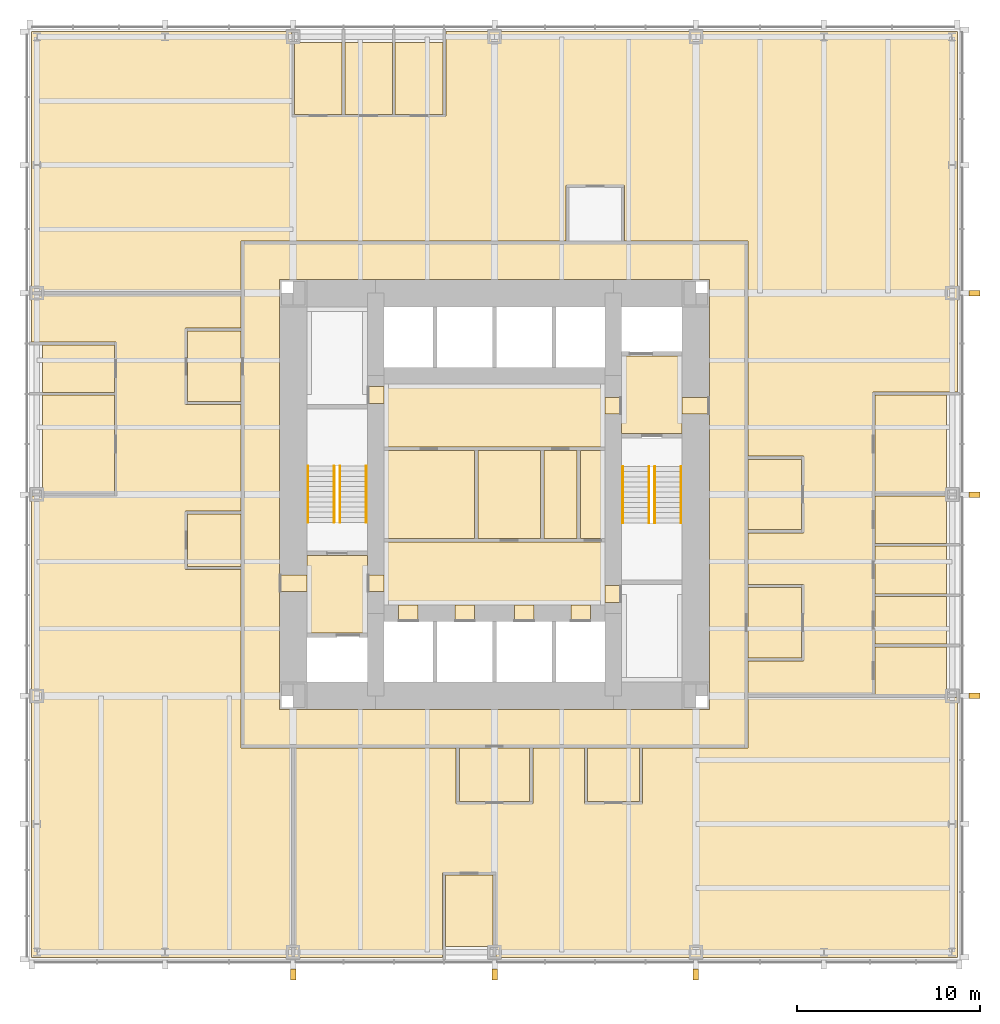
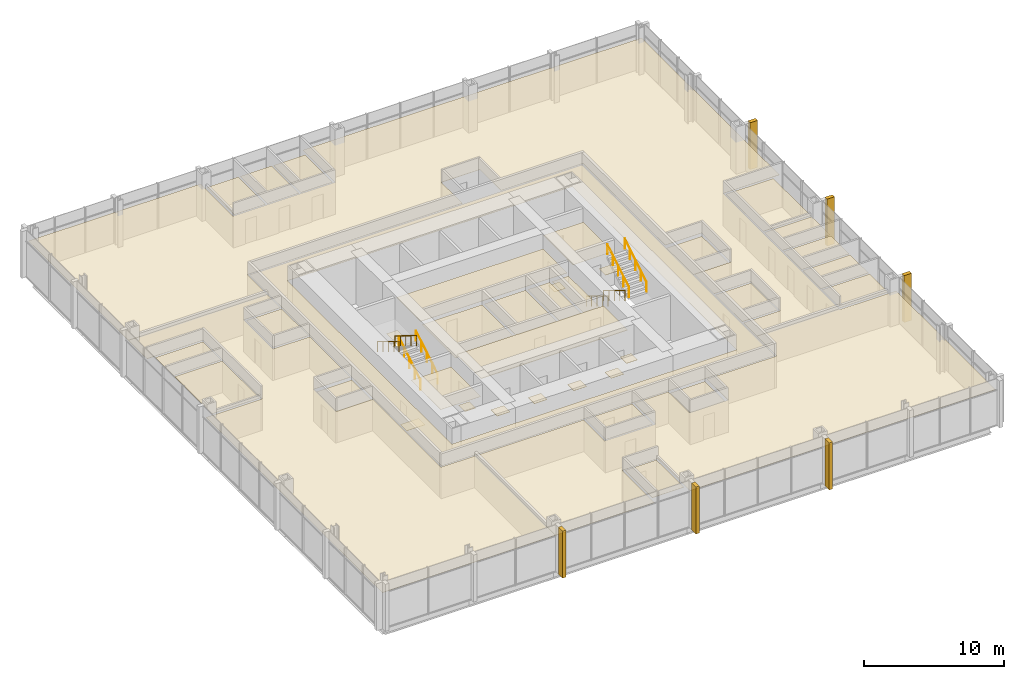
# One storey, part 12 of 12: 45 coverings, 8 railings.
"""IFC4 building model written with IfcOpenShell, lengths in metres."""

from ifc_helpers import new_model, si_unit, direction, frame, origin, origin_2d, place, context, subcontext, project, spatial, polyline, rectangle, circle, outline, extrude, material, layer, layer_set, type_object, element, save


model = new_model("IFC4")

# Units and contexts
model_context = context("Model", 3, precision=1e-05, world=origin(), true_north=direction((0.0, 1.0)))
body_context = subcontext(model_context, "Body", "Model", "MODEL_VIEW")
ifc_project = project(units=[si_unit("LENGTHUNIT", "METRE"), si_unit("AREAUNIT", "SQUARE_METRE"), si_unit("VOLUMEUNIT", "CUBIC_METRE"), si_unit("PLANEANGLEUNIT", "RADIAN"), si_unit("MASSUNIT", "GRAM", prefix="KILO")], contexts=[model_context])

# Site, building, storey
site_placement = place(None, origin())
site = spatial("IfcSite", under=ifc_project, at=site_placement, CompositionType="ELEMENT")
building_placement = place(site_placement, origin())
building = spatial("IfcBuilding", under=site, at=building_placement, Name="Trevanion Tower", CompositionType="ELEMENT")
storey_placement = place(building_placement, frame((0.0, 0.0, 36.5)))
storey = spatial("IfcBuildingStorey", under=building, at=storey_placement, Name="L08", CompositionType="ELEMENT", Elevation=36.5)

# Coverings
ifc_material_1 = material(Name="Fibrous plaster coffers on suspended steel grid", Category="steel")
ifc_layer_1 = layer(ifc_material_1, 0.050048828125)
ifc_layer_set_1 = layer_set([ifc_layer_1], Name="CL1 coffered fibrous plaster ceiling 50")
covering_type_1 = type_object("IfcCoveringType", Name="CL1 coffered fibrous plaster ceiling 50", PredefinedType="CEILING", material=ifc_layer_set_1)
covering_1_placement = place(storey_placement, frame((0.0, 0.0, 3.0)))
element("IfcCovering", 1, at=covering_1_placement, inside=storey, type_object=covering_type_1, Name="CL1 L08-LBS", PredefinedType="CEILING", context=body_context, shape_type="SweptSolid", body=[
    extrude(outline(polyline([(6.050048828125, -6.050048828125), (6.050048828125, -2.60009765625), (-6.050048828125, -2.60009765625), (-6.050048828125, -6.050048828125), (6.050048828125, -6.050048828125)])), origin(), (0.0, 0.0, 1.0), 0.050048828125),
])
ifc_material_2 = material(Name="Mineral fibre acoustic tiles in exposed grid", Category="mineral fibre")
ifc_layer_2 = layer(ifc_material_2, 0.02001953125)
ifc_layer_set_2 = layer_set([ifc_layer_2], Name="CL2 acoustic tile ceiling 20")
covering_type_2 = type_object("IfcCoveringType", Name="CL2 acoustic tile ceiling 20", PredefinedType="CEILING", material=ifc_layer_set_2)
covering_2_placement = place(storey_placement, frame((0.0, 0.0, 2.75)))
element("IfcCovering", 2, at=covering_2_placement, inside=storey, type_object=covering_type_2, Name="CL2 L08-LBN", PredefinedType="CEILING", context=body_context, shape_type="SweptSolid", body=[
    extrude(outline(polyline([(6.050048828125, 2.60009765625), (6.050048828125, 6.050048828125), (-6.050048828125, 6.050048828125), (-6.050048828125, 2.60009765625), (6.050048828125, 2.60009765625)])), origin(), (0.0, 0.0, 1.0), 0.02001953125),
])
covering_3_placement = place(storey_placement, frame((0.0, 0.0, 2.75)))
element("IfcCovering", 3, at=covering_3_placement, inside=storey, type_object=covering_type_2, Name="CL2 L08-CO", PredefinedType="CEILING", context=body_context, shape_type="SweptSolid", body=[
    extrude(outline(polyline([(-13.75, 13.75), (13.75, 13.75), (13.75, -13.75), (-13.75, -13.75), (-13.75, 13.75)]), holes=[polyline([(-11.75, 11.75), (-11.75, -11.75), (11.75, -11.75), (11.75, 11.75), (-11.75, 11.75)])]), origin(), (0.0, 0.0, 1.0), 0.02001953125),
])
covering_4_placement = place(storey_placement, frame((0.0, 0.0, 2.75)))
element("IfcCovering", 4, at=covering_4_placement, inside=storey, type_object=covering_type_2, Name="CL2 L08-OF", PredefinedType="CEILING", context=body_context, shape_type="SweptSolid", body=[
    extrude(outline(polyline([(20.77490234375, -10.925048828125), (20.77490234375, -8.324951171875), (24.699951171875, -8.324951171875), (24.699951171875, -10.925048828125), (20.77490234375, -10.925048828125)])), origin(), (0.0, 0.0, 1.0), 0.02001953125),
])
covering_5_placement = place(storey_placement, frame((0.0, 0.0, 2.75)))
element("IfcCovering", 5, at=covering_5_placement, inside=storey, type_object=covering_type_2, Name="CL2 L08-OF2", PredefinedType="CEILING", context=body_context, shape_type="SweptSolid", body=[
    extrude(outline(polyline([(20.77490234375, -8.175048828125), (20.77490234375, -5.574951171875), (24.699951171875, -5.574951171875), (24.699951171875, -8.175048828125), (20.77490234375, -8.175048828125)])), origin(), (0.0, 0.0, 1.0), 0.02001953125),
])
covering_6_placement = place(storey_placement, frame((0.0, 0.0, 2.75)))
element("IfcCovering", 6, at=covering_6_placement, inside=storey, type_object=covering_type_2, Name="CL2 L08-OF3", PredefinedType="CEILING", context=body_context, shape_type="SweptSolid", body=[
    extrude(outline(polyline([(20.77490234375, -5.425048828125), (20.77490234375, -2.824951171875), (24.699951171875, -2.824951171875), (24.699951171875, -5.425048828125), (20.77490234375, -5.425048828125)])), origin(), (0.0, 0.0, 1.0), 0.02001953125),
])
covering_7_placement = place(storey_placement, frame((0.0, 0.0, 2.75)))
element("IfcCovering", 7, at=covering_7_placement, inside=storey, type_object=covering_type_2, Name="CL2 L08-OF4", PredefinedType="CEILING", context=body_context, shape_type="SweptSolid", body=[
    extrude(outline(polyline([(20.77490234375, -2.675048828125), (20.77490234375, -0.074951171875), (24.699951171875, -0.074951171875), (24.699951171875, -2.675048828125), (20.77490234375, -2.675048828125)])), origin(), (0.0, 0.0, 1.0), 0.02001953125),
])
covering_8_placement = place(storey_placement, frame((0.0, 0.0, 2.75)))
element("IfcCovering", 8, at=covering_8_placement, inside=storey, type_object=covering_type_2, Name="CL2 L08-MR", PredefinedType="CEILING", context=body_context, shape_type="SweptSolid", body=[
    extrude(outline(polyline([(20.77490234375, 0.074951171875), (20.77490234375, 5.425048828125), (24.699951171875, 5.425048828125), (24.699951171875, 0.074951171875), (20.77490234375, 0.074951171875)])), origin(), (0.0, 0.0, 1.0), 0.02001953125),
])
covering_9_placement = place(storey_placement, frame((0.0, 0.0, 2.75)))
element("IfcCovering", 9, at=covering_9_placement, inside=storey, type_object=covering_type_2, Name="CL2 L08-OF5", PredefinedType="CEILING", context=body_context, shape_type="SweptSolid", body=[
    extrude(outline(polyline([(-2.824951171875, 20.77490234375), (-5.425048828125, 20.77490234375), (-5.425048828125, 24.699951171875), (-2.824951171875, 24.699951171875), (-2.824951171875, 20.77490234375)])), origin(), (0.0, 0.0, 1.0), 0.02001953125),
])
covering_10_placement = place(storey_placement, frame((0.0, 0.0, 2.75)))
element("IfcCovering", 10, at=covering_10_placement, inside=storey, type_object=covering_type_2, Name="CL2 L08-OF6", PredefinedType="CEILING", context=body_context, shape_type="SweptSolid", body=[
    extrude(outline(polyline([(-5.574951171875, 20.77490234375), (-8.175048828125, 20.77490234375), (-8.175048828125, 24.699951171875), (-5.574951171875, 24.699951171875), (-5.574951171875, 20.77490234375)])), origin(), (0.0, 0.0, 1.0), 0.02001953125),
])
covering_11_placement = place(storey_placement, frame((0.0, 0.0, 2.75)))
element("IfcCovering", 11, at=covering_11_placement, inside=storey, type_object=covering_type_2, Name="CL2 L08-OF7", PredefinedType="CEILING", context=body_context, shape_type="SweptSolid", body=[
    extrude(outline(polyline([(-8.324951171875, 20.77490234375), (-10.925048828125, 20.77490234375), (-10.925048828125, 24.699951171875), (-8.324951171875, 24.699951171875), (-8.324951171875, 20.77490234375)])), origin(), (0.0, 0.0, 1.0), 0.02001953125),
])
covering_12_placement = place(storey_placement, frame((0.0, 0.0, 2.75)))
element("IfcCovering", 12, at=covering_12_placement, inside=storey, type_object=covering_type_2, Name="CL2 L08-OF8", PredefinedType="CEILING", context=body_context, shape_type="SweptSolid", body=[
    extrude(outline(polyline([(-20.77490234375, 8.175048828125), (-20.77490234375, 5.574951171875), (-24.699951171875, 5.574951171875), (-24.699951171875, 8.175048828125), (-20.77490234375, 8.175048828125)])), origin(), (0.0, 0.0, 1.0), 0.02001953125),
])
covering_13_placement = place(storey_placement, frame((0.0, 0.0, 2.75)))
element("IfcCovering", 13, at=covering_13_placement, inside=storey, type_object=covering_type_2, Name="CL2 L08-MR2", PredefinedType="CEILING", context=body_context, shape_type="SweptSolid", body=[
    extrude(outline(polyline([(-20.77490234375, 5.425048828125), (-20.77490234375, 0.074951171875), (-24.699951171875, 0.074951171875), (-24.699951171875, 5.425048828125), (-20.77490234375, 5.425048828125)])), origin(), (0.0, 0.0, 1.0), 0.02001953125),
])
covering_14_placement = place(storey_placement, frame((0.0, 0.0, 2.75)))
element("IfcCovering", 14, at=covering_14_placement, inside=storey, type_object=covering_type_2, Name="CL2 L08-FR", PredefinedType="CEILING", context=body_context, shape_type="SweptSolid", body=[
    extrude(outline(polyline([(-2.675048828125, -20.77490234375), (-0.074951171875, -20.77490234375), (-0.074951171875, -24.699951171875), (-2.675048828125, -24.699951171875), (-2.675048828125, -20.77490234375)])), origin(), (0.0, 0.0, 1.0), 0.02001953125),
])
covering_15_placement = place(storey_placement, frame((0.0, 0.0, 2.75)))
element("IfcCovering", 15, at=covering_15_placement, inside=storey, type_object=covering_type_2, Name="CL2 L08-RC", PredefinedType="CEILING", context=body_context, shape_type="SweptSolid", body=[
    extrude(outline(polyline([(13.85009765625, -8.925048828125), (13.85009765625, -5.074951171875), (16.77490234375, -5.074951171875), (16.77490234375, -8.925048828125), (13.85009765625, -8.925048828125)])), origin(), (0.0, 0.0, 1.0), 0.02001953125),
])
covering_16_placement = place(storey_placement, frame((0.0, 0.0, 2.75)))
element("IfcCovering", 16, at=covering_16_placement, inside=storey, type_object=covering_type_2, Name="CL2 L08-RC2", PredefinedType="CEILING", context=body_context, shape_type="SweptSolid", body=[
    extrude(outline(polyline([(-13.85009765625, 8.925048828125), (-13.85009765625, 5.074951171875), (-16.77490234375, 5.074951171875), (-16.77490234375, 8.925048828125), (-13.85009765625, 8.925048828125)])), origin(), (0.0, 0.0, 1.0), 0.02001953125),
])
covering_17_placement = place(storey_placement, frame((0.0, 0.0, 2.75)))
element("IfcCovering", 17, at=covering_17_placement, inside=storey, type_object=covering_type_2, Name="CL2 L08-RC3", PredefinedType="CEILING", context=body_context, shape_type="SweptSolid", body=[
    extrude(outline(polyline([(-1.925048828125, -13.85009765625), (1.925048828125, -13.85009765625), (1.925048828125, -16.77490234375), (-1.925048828125, -16.77490234375), (-1.925048828125, -13.85009765625)])), origin(), (0.0, 0.0, 1.0), 0.02001953125),
])
covering_18_placement = place(storey_placement, frame((0.0, 0.0, 2.75)))
element("IfcCovering", 18, at=covering_18_placement, inside=storey, type_object=covering_type_2, Name="CL2 L08-OP", PredefinedType="CEILING", context=body_context, shape_type="SweptSolid", body=[
    extrude(outline(polyline([(13.85009765625, 13.85009765625), (7.094970703125, 13.85009765625), (7.094970703125, 16.8701171875), (3.905029296875, 16.8701171875), (3.905029296875, 13.85009765625), (-13.85009765625, 13.85009765625), (-13.85009765625, 11.0), (-25.300048828125, 11.0), (-25.300048828125, 25.300048828125), (-11.094970703125, 25.300048828125), (-11.094970703125, 20.679931640625), (-2.655029296875, 20.679931640625), (-2.655029296875, 25.300048828125), (25.300048828125, 25.300048828125), (25.300048828125, 5.594970703125), (20.679931640625, 5.594970703125), (20.679931640625, -11.0), (13.85009765625, -11.0), (13.85009765625, -9.094970703125), (16.8701171875, -9.094970703125), (16.8701171875, -4.905029296875), (13.85009765625, -4.905029296875), (13.85009765625, -2.094970703125), (16.8701171875, -2.094970703125), (16.8701171875, 2.094970703125), (13.85009765625, 2.094970703125), (13.85009765625, 13.85009765625)])), origin(), (0.0, 0.0, 1.0), 0.02001953125),
])
covering_19_placement = place(storey_placement, frame((0.0, 0.0, 2.75)))
element("IfcCovering", 19, at=covering_19_placement, inside=storey, type_object=covering_type_2, Name="CL2 L08-OP2", PredefinedType="CEILING", context=body_context, shape_type="SweptSolid", body=[
    extrude(outline(polyline([(-13.85009765625, 9.094970703125), (-16.8701171875, 9.094970703125), (-16.8701171875, 4.905029296875), (-13.85009765625, 4.905029296875), (-13.85009765625, -0.905029296875), (-16.8701171875, -0.905029296875), (-16.8701171875, -4.094970703125), (-13.85009765625, -4.094970703125), (-13.85009765625, -13.85009765625), (-11.0, -13.85009765625), (-11.0, -25.300048828125), (-25.300048828125, -25.300048828125), (-25.300048828125, -0.094970703125), (-20.679931640625, -0.094970703125), (-20.679931640625, 8.344970703125), (-25.300048828125, 8.344970703125), (-25.300048828125, 11.0), (-13.85009765625, 11.0), (-13.85009765625, 9.094970703125)])), origin(), (0.0, 0.0, 1.0), 0.02001953125),
])
covering_20_placement = place(storey_placement, frame((0.0, 0.0, 2.75)))
element("IfcCovering", 20, at=covering_20_placement, inside=storey, type_object=covering_type_2, Name="CL2 L08-OP3", PredefinedType="CEILING", context=body_context, shape_type="SweptSolid", body=[
    extrude(outline(polyline([(-2.094970703125, -13.85009765625), (-2.094970703125, -16.8701171875), (2.094970703125, -16.8701171875), (2.094970703125, -13.85009765625), (4.905029296875, -13.85009765625), (4.905029296875, -16.8701171875), (8.094970703125, -16.8701171875), (8.094970703125, -13.85009765625), (13.85009765625, -13.85009765625), (13.85009765625, -11.0), (20.679931640625, -11.0), (20.679931640625, -11.094970703125), (25.300048828125, -11.094970703125), (25.300048828125, -25.300048828125), (0.094970703125, -25.300048828125), (0.094970703125, -20.679931640625), (-2.844970703125, -20.679931640625), (-2.844970703125, -25.300048828125), (-11.0, -25.300048828125), (-11.0, -13.85009765625), (-2.094970703125, -13.85009765625)])), origin(), (0.0, 0.0, 1.0), 0.02001953125),
])
ifc_material_3 = material(Name="Gypsum plasterboard on suspended metal furring", Category="gypsum")
ifc_layer_3 = layer(ifc_material_3, 0.012939453125)
ifc_layer_set_3 = layer_set([ifc_layer_3], Name="CL3 plasterboard ceiling 13")
covering_type_3 = type_object("IfcCoveringType", Name="CL3 plasterboard ceiling 13", PredefinedType="CEILING", material=ifc_layer_set_3)
covering_21_placement = place(storey_placement, frame((0.0, 0.0, 2.699951171875)))
element("IfcCovering", 21, at=covering_21_placement, inside=storey, type_object=covering_type_3, Name="CL3 L08-FV1", PredefinedType="CEILING", context=body_context, shape_type="SweptSolid", body=[
    extrude(outline(polyline([(10.25, 3.324951171875), (10.25, 7.574951171875), (6.949951171875, 7.574951171875), (6.949951171875, 3.324951171875), (10.25, 3.324951171875)])), origin(), (0.0, 0.0, 1.0), 0.012939453125),
])
covering_22_placement = place(storey_placement, frame((0.0, 0.0, 2.699951171875)))
element("IfcCovering", 22, at=covering_22_placement, inside=storey, type_object=covering_type_3, Name="CL3 L08-FV2", PredefinedType="CEILING", context=body_context, shape_type="SweptSolid", body=[
    extrude(outline(polyline([(-10.25, -3.324951171875), (-10.25, -7.574951171875), (-6.949951171875, -7.574951171875), (-6.949951171875, -3.324951171875), (-10.25, -3.324951171875)])), origin(), (0.0, 0.0, 1.0), 0.012939453125),
])
ifc_material_4 = material(Name="Moisture-resistant gypsum board on suspended metal furring", Category="gypsum")
ifc_layer_4 = layer(ifc_material_4, 0.01611328125)
ifc_layer_set_4 = layer_set([ifc_layer_4], Name="CL4 moisture-resistant board ceiling 16")
covering_type_4 = type_object("IfcCoveringType", Name="CL4 moisture-resistant board ceiling 16", PredefinedType="CEILING", material=ifc_layer_set_4)
covering_23_placement = place(storey_placement, frame((0.0, 0.0, 2.60009765625)))
element("IfcCovering", 23, at=covering_23_placement, inside=storey, type_object=covering_type_4, Name="CL4 L08-WCM", PredefinedType="CEILING", context=body_context, shape_type="SweptSolid", body=[
    extrude(outline(polyline([(-1.10009765625, -2.39990234375), (-1.10009765625, 2.39990234375), (-6.050048828125, 2.39990234375), (-6.050048828125, -2.39990234375), (-1.10009765625, -2.39990234375)])), origin(), (0.0, 0.0, 1.0), 0.015869140625),
])
covering_24_placement = place(storey_placement, frame((0.0, 0.0, 2.60009765625)))
element("IfcCovering", 24, at=covering_24_placement, inside=storey, type_object=covering_type_4, Name="CL4 L08-WCF", PredefinedType="CEILING", context=body_context, shape_type="SweptSolid", body=[
    extrude(outline(polyline([(2.5, -2.39990234375), (2.5, 2.39990234375), (-0.89990234375, 2.39990234375), (-0.89990234375, -2.39990234375), (2.5, -2.39990234375)])), origin(), (0.0, 0.0, 1.0), 0.015869140625),
])
covering_25_placement = place(storey_placement, frame((0.0, 0.0, 2.60009765625)))
element("IfcCovering", 25, at=covering_25_placement, inside=storey, type_object=covering_type_4, Name="CL4 L08-WCA", PredefinedType="CEILING", context=body_context, shape_type="SweptSolid", body=[
    extrude(outline(polyline([(4.5, -2.39990234375), (4.5, 2.39990234375), (2.699951171875, 2.39990234375), (2.699951171875, -2.39990234375), (4.5, -2.39990234375)])), origin(), (0.0, 0.0, 1.0), 0.015869140625),
])
covering_26_placement = place(storey_placement, frame((0.0, 0.0, 2.60009765625)))
element("IfcCovering", 26, at=covering_26_placement, inside=storey, type_object=covering_type_4, Name="CL4 L08-SH", PredefinedType="CEILING", context=body_context, shape_type="SweptSolid", body=[
    extrude(outline(polyline([(6.050048828125, -2.39990234375), (6.050048828125, 2.39990234375), (4.699951171875, 2.39990234375), (4.699951171875, -2.39990234375), (6.050048828125, -2.39990234375)])), origin(), (0.0, 0.0, 1.0), 0.015869140625),
])
covering_27_placement = place(storey_placement, frame((0.0, 0.0, 2.60009765625)))
element("IfcCovering", 27, at=covering_27_placement, inside=storey, type_object=covering_type_4, Name="CL4 L08-PA", PredefinedType="CEILING", context=body_context, shape_type="SweptSolid", body=[
    extrude(outline(polyline([(13.85009765625, -1.925048828125), (13.85009765625, 1.925048828125), (16.77490234375, 1.925048828125), (16.77490234375, -1.925048828125), (13.85009765625, -1.925048828125)])), origin(), (0.0, 0.0, 1.0), 0.015869140625),
])
covering_28_placement = place(storey_placement, frame((0.0, 0.0, 2.60009765625)))
element("IfcCovering", 28, at=covering_28_placement, inside=storey, type_object=covering_type_4, Name="CL4 L08-PA2", PredefinedType="CEILING", context=body_context, shape_type="SweptSolid", body=[
    extrude(outline(polyline([(-13.85009765625, -1.074951171875), (-13.85009765625, -3.925048828125), (-16.77490234375, -3.925048828125), (-16.77490234375, -1.074951171875), (-13.85009765625, -1.074951171875)])), origin(), (0.0, 0.0, 1.0), 0.015869140625),
])
covering_29_placement = place(storey_placement, frame((0.0, 0.0, 2.60009765625)))
element("IfcCovering", 29, at=covering_29_placement, inside=storey, type_object=covering_type_4, Name="CL4 L08-PA3", PredefinedType="CEILING", context=body_context, shape_type="SweptSolid", body=[
    extrude(outline(polyline([(5.074951171875, -13.85009765625), (7.925048828125, -13.85009765625), (7.925048828125, -16.77490234375), (5.074951171875, -16.77490234375), (5.074951171875, -13.85009765625)])), origin(), (0.0, 0.0, 1.0), 0.015869140625),
])
ifc_material_5 = material(Name="Cast bronze fin on aluminium carrier", Category="aluminium")
covering_type_5 = type_object("IfcCoveringType", Name="F1 bronze fin", PredefinedType="CLADDING", material=ifc_material_5)
for number, where, z_axis, x_axis, name in (
    (30, (26.22509765625, -11.0, -0.18994140625), (0.0, 0.0, 1.0), (0.0, 1.0, 0.0), "F1 L08 east -11.0"),
    (31, (26.22509765625, 0.0, -0.18994140625), (0.0, 0.0, 1.0), (0.0, 1.0, 0.0), "F1 L08 east +0.0"),
    (32, (26.22509765625, 11.0, -0.18994140625), (0.0, 0.0, 1.0), (0.0, 1.0, 0.0), "F1 L08 east +11.0"),
    (33, (-11.0, -26.22509765625, -0.18994140625), (0.0, 0.0, 1.0), (1.0, 0.0, 0.0), "F1 L08 south -11.0"),
    (34, (0.0, -26.22509765625, -0.18994140625), (0.0, 0.0, 1.0), (1.0, 0.0, 0.0), "F1 L08 south +0.0"),
    (35, (11.0, -26.22509765625, -0.18994140625), (0.0, 0.0, 1.0), (1.0, 0.0, 0.0), "F1 L08 south +11.0"),
):
    element("IfcCovering", number, at=place(storey_placement, frame(where, z_axis=z_axis, x_axis=x_axis)), inside=storey, type_object=covering_type_5, Name=name, PredefinedType="CLADDING", context=body_context, shape_type="SweptSolid", body=[
        extrude(rectangle(XDim=0.300048828125, YDim=0.60009765625, at=origin_2d()), origin(), (0.0, 0.0, 1.0), 4.10009765625),
    ])
ifc_material_6 = material(Name="Terrazzo, brass divider strips", Category="stone")
ifc_layer_5 = layer(ifc_material_6, 0.02001953125)
ifc_layer_set_5 = layer_set([ifc_layer_5], Name="FF1 terrazzo flooring")
covering_type_6 = type_object("IfcCoveringType", Name="FF1 terrazzo flooring", PredefinedType="FLOORING", material=ifc_layer_set_5)
covering_30_placement = place(storey_placement, origin())
element("IfcCovering", 36, at=covering_30_placement, inside=storey, type_object=covering_type_6, Name="FF1 threshold 08-001", PredefinedType="FLOORING", context=body_context, shape_type="SweptSolid", body=[
    extrude(outline(polyline([(11.75, 4.392578125), (11.75, 5.3076171875), (10.25, 5.3076171875), (10.25, 4.392578125), (11.75, 4.392578125)])), origin(), (0.0, 0.0, 1.0), 0.02001953125),
])
covering_31_placement = place(storey_placement, origin())
element("IfcCovering", 37, at=covering_31_placement, inside=storey, type_object=covering_type_6, Name="FF1 threshold 08-002", PredefinedType="FLOORING", context=body_context, shape_type="SweptSolid", body=[
    extrude(outline(polyline([(-11.75, -4.392578125), (-11.75, -5.3076171875), (-10.25, -5.3076171875), (-10.25, -4.392578125), (-11.75, -4.392578125)])), origin(), (0.0, 0.0, 1.0), 0.02001953125),
])
covering_32_placement = place(storey_placement, origin())
element("IfcCovering", 38, at=covering_32_placement, inside=storey, type_object=covering_type_6, Name="FF1 threshold 08-003", PredefinedType="FLOORING", context=body_context, shape_type="SweptSolid", body=[
    extrude(outline(polyline([(6.949951171875, 4.392578125), (6.949951171875, 5.3076171875), (6.050048828125, 5.3076171875), (6.050048828125, 4.392578125), (6.949951171875, 4.392578125)])), origin(), (0.0, 0.0, 1.0), 0.02001953125),
])
covering_33_placement = place(storey_placement, origin())
element("IfcCovering", 39, at=covering_33_placement, inside=storey, type_object=covering_type_6, Name="FF1 threshold 08-004", PredefinedType="FLOORING", context=body_context, shape_type="SweptSolid", body=[
    extrude(outline(polyline([(-6.949951171875, -4.392578125), (-6.949951171875, -5.3076171875), (-6.050048828125, -5.3076171875), (-6.050048828125, -4.392578125), (-6.949951171875, -4.392578125)])), origin(), (0.0, 0.0, 1.0), 0.02001953125),
])
covering_34_placement = place(storey_placement, origin())
element("IfcCovering", 40, at=covering_34_placement, inside=storey, type_object=covering_type_6, Name="FF1 threshold 08-009", PredefinedType="FLOORING", context=body_context, shape_type="SweptSolid", body=[
    extrude(outline(polyline([(6.949951171875, -5.889892578125), (6.949951171875, -4.97509765625), (6.050048828125, -4.97509765625), (6.050048828125, -5.889892578125), (6.949951171875, -5.889892578125)])), origin(), (0.0, 0.0, 1.0), 0.02001953125),
])
covering_35_placement = place(storey_placement, origin())
element("IfcCovering", 41, at=covering_35_placement, inside=storey, type_object=covering_type_6, Name="FF1 threshold 08-010", PredefinedType="FLOORING", context=body_context, shape_type="SweptSolid", body=[
    extrude(outline(polyline([(-6.949951171875, 5.889892578125), (-6.949951171875, 4.97509765625), (-6.050048828125, 4.97509765625), (-6.050048828125, 5.889892578125), (-6.949951171875, 5.889892578125)])), origin(), (0.0, 0.0, 1.0), 0.02001953125),
])
covering_36_placement = place(storey_placement, origin())
element("IfcCovering", 42, at=covering_36_placement, inside=storey, type_object=covering_type_6, Name="FF1 threshold 08-011", PredefinedType="FLOORING", context=body_context, shape_type="SweptSolid", body=[
    extrude(outline(polyline([(-5.2333984375, -6.949951171875), (-4.16650390625, -6.949951171875), (-4.16650390625, -6.050048828125), (-5.2333984375, -6.050048828125), (-5.2333984375, -6.949951171875)])), origin(), (0.0, 0.0, 1.0), 0.02001953125),
])
covering_37_placement = place(storey_placement, origin())
element("IfcCovering", 43, at=covering_37_placement, inside=storey, type_object=covering_type_6, Name="FF1 threshold 08-012", PredefinedType="FLOORING", context=body_context, shape_type="SweptSolid", body=[
    extrude(outline(polyline([(-2.158447265625, -6.949951171875), (-1.091552734375, -6.949951171875), (-1.091552734375, -6.050048828125), (-2.158447265625, -6.050048828125), (-2.158447265625, -6.949951171875)])), origin(), (0.0, 0.0, 1.0), 0.02001953125),
])
covering_38_placement = place(storey_placement, origin())
element("IfcCovering", 44, at=covering_38_placement, inside=storey, type_object=covering_type_6, Name="FF1 threshold 08-013", PredefinedType="FLOORING", context=body_context, shape_type="SweptSolid", body=[
    extrude(outline(polyline([(1.091552734375, -6.949951171875), (2.158447265625, -6.949951171875), (2.158447265625, -6.050048828125), (1.091552734375, -6.050048828125), (1.091552734375, -6.949951171875)])), origin(), (0.0, 0.0, 1.0), 0.02001953125),
])
covering_39_placement = place(storey_placement, origin())
element("IfcCovering", 45, at=covering_39_placement, inside=storey, type_object=covering_type_6, Name="FF1 threshold 08-014", PredefinedType="FLOORING", context=body_context, shape_type="SweptSolid", body=[
    extrude(outline(polyline([(4.16650390625, -6.949951171875), (5.2333984375, -6.949951171875), (5.2333984375, -6.050048828125), (4.16650390625, -6.050048828125), (4.16650390625, -6.949951171875)])), origin(), (0.0, 0.0, 1.0), 0.02001953125),
])

# Railings
ifc_material_7 = material(Name="Stainless steel tube 40 mm", Category="steel")
railing_type = type_object("IfcRailingType", Name="HR1 handrail", PredefinedType="HANDRAIL", material=ifc_material_7)
for number, where, name in (
    (46, (7.010009765625, 1.52490234375, 0.1708984375), "HR1 ST1 L08 flight 1"),
    (47, (8.43994140625, 1.52490234375, 0.1708984375), "HR1 ST1 L08 flight 1"),
):
    element("IfcRailing", number, at=place(storey_placement, frame(where)), inside=storey, type_object=railing_type, Name=name, PredefinedType="HANDRAIL", context=body_context, shape_type="SweptSolid", body=[
        extrude(circle(Radius=0.02001953125, at=origin_2d()), frame((0.0, 0.0, 0.8798828125), z_axis=(0.0, -0.853647949592, 0.520850437417), x_axis=(1.0, 0.0, 0.0)), (0.0, 0.0, 1.0), 3.60791015625),
        extrude(circle(Radius=0.01513671875, at=origin_2d()), origin(), (0.0, 0.0, 1.0), 0.85986328125),
        extrude(circle(Radius=0.01513671875, at=origin_2d()), frame((0.0, -0.77001953125, 0.4697265625)), (0.0, 0.0, 1.0), 0.85986328125),
        extrude(circle(Radius=0.01513671875, at=origin_2d()), frame((0.0, -1.5400390625, 0.939453125)), (0.0, 0.0, 1.0), 0.85986328125),
        extrude(circle(Radius=0.01513671875, at=origin_2d()), frame((0.0, -2.309814453125, 1.409423828125)), (0.0, 0.0, 1.0), 0.85986328125),
        extrude(circle(Radius=0.01513671875, at=origin_2d()), frame((0.0, -3.079833984375, 1.879150390625)), (0.0, 0.0, 1.0), 0.85986328125),
    ])
for number, where, name in (
    (48, (8.760009765625, -1.554931640625, 2.220703125), "HR1 ST1 L08 flight 2"),
    (49, (10.18994140625, -1.554931640625, 2.220703125), "HR1 ST1 L08 flight 2"),
):
    element("IfcRailing", number, at=place(storey_placement, frame(where)), inside=storey, type_object=railing_type, Name=name, PredefinedType="HANDRAIL", context=body_context, shape_type="SweptSolid", body=[
        extrude(circle(Radius=0.02001953125, at=origin_2d()), frame((0.0, 0.0, 0.8798828125), z_axis=(0.0, 0.853617861917, 0.520899746416), x_axis=(-1.0, 0.0, 0.0)), (0.0, 0.0, 1.0), 3.60791015625),
        extrude(circle(Radius=0.01513671875, at=origin_2d()), origin(), (0.0, 0.0, 1.0), 0.85986328125),
        extrude(circle(Radius=0.01513671875, at=origin_2d()), frame((0.0, 0.77001953125, 0.4697265625)), (0.0, 0.0, 1.0), 0.85986328125),
        extrude(circle(Radius=0.01513671875, at=origin_2d()), frame((0.0, 1.5400390625, 0.939697265625)), (0.0, 0.0, 1.0), 0.85986328125),
        extrude(circle(Radius=0.01513671875, at=origin_2d()), frame((0.0, 2.309814453125, 1.40966796875)), (0.0, 0.0, 1.0), 0.85986328125),
        extrude(circle(Radius=0.01513671875, at=origin_2d()), frame((0.0, 3.079833984375, 1.87939453125)), (0.0, 0.0, 1.0), 0.85986328125),
    ])
for number, where, name in (
    (50, (-7.010009765625, -1.52490234375, 0.1708984375), "HR1 ST2 L08 flight 1"),
    (51, (-8.43994140625, -1.52490234375, 0.1708984375), "HR1 ST2 L08 flight 1"),
):
    element("IfcRailing", number, at=place(storey_placement, frame(where)), inside=storey, type_object=railing_type, Name=name, PredefinedType="HANDRAIL", context=body_context, shape_type="SweptSolid", body=[
        extrude(circle(Radius=0.02001953125, at=origin_2d()), frame((0.0, 0.0, 0.8798828125), z_axis=(0.0, 0.853647949592, 0.520850437417), x_axis=(-1.0, 0.0, 0.0)), (0.0, 0.0, 1.0), 3.60791015625),
        extrude(circle(Radius=0.01513671875, at=origin_2d()), origin(), (0.0, 0.0, 1.0), 0.85986328125),
        extrude(circle(Radius=0.01513671875, at=origin_2d()), frame((0.0, 0.77001953125, 0.4697265625)), (0.0, 0.0, 1.0), 0.85986328125),
        extrude(circle(Radius=0.01513671875, at=origin_2d()), frame((0.0, 1.5400390625, 0.939453125)), (0.0, 0.0, 1.0), 0.85986328125),
        extrude(circle(Radius=0.01513671875, at=origin_2d()), frame((0.0, 2.309814453125, 1.409423828125)), (0.0, 0.0, 1.0), 0.85986328125),
        extrude(circle(Radius=0.01513671875, at=origin_2d()), frame((0.0, 3.079833984375, 1.879150390625)), (0.0, 0.0, 1.0), 0.85986328125),
    ])
for number, where, name in (
    (52, (-8.760009765625, 1.554931640625, 2.220703125), "HR1 ST2 L08 flight 2"),
    (53, (-10.18994140625, 1.554931640625, 2.220703125), "HR1 ST2 L08 flight 2"),
):
    element("IfcRailing", number, at=place(storey_placement, frame(where)), inside=storey, type_object=railing_type, Name=name, PredefinedType="HANDRAIL", context=body_context, shape_type="SweptSolid", body=[
        extrude(circle(Radius=0.02001953125, at=origin_2d()), frame((0.0, 0.0, 0.8798828125), z_axis=(0.0, -0.853617861917, 0.520899746416), x_axis=(1.0, 0.0, 0.0)), (0.0, 0.0, 1.0), 3.60791015625),
        extrude(circle(Radius=0.01513671875, at=origin_2d()), origin(), (0.0, 0.0, 1.0), 0.85986328125),
        extrude(circle(Radius=0.01513671875, at=origin_2d()), frame((0.0, -0.77001953125, 0.4697265625)), (0.0, 0.0, 1.0), 0.85986328125),
        extrude(circle(Radius=0.01513671875, at=origin_2d()), frame((0.0, -1.5400390625, 0.939697265625)), (0.0, 0.0, 1.0), 0.85986328125),
        extrude(circle(Radius=0.01513671875, at=origin_2d()), frame((0.0, -2.309814453125, 1.40966796875)), (0.0, 0.0, 1.0), 0.85986328125),
        extrude(circle(Radius=0.01513671875, at=origin_2d()), frame((0.0, -3.079833984375, 1.87939453125)), (0.0, 0.0, 1.0), 0.85986328125),
    ])

save(model, "model.ifc")
